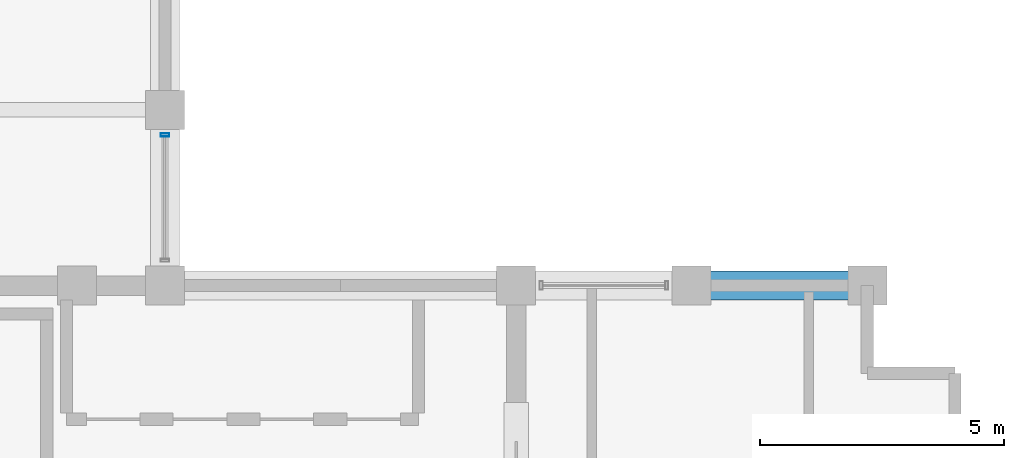
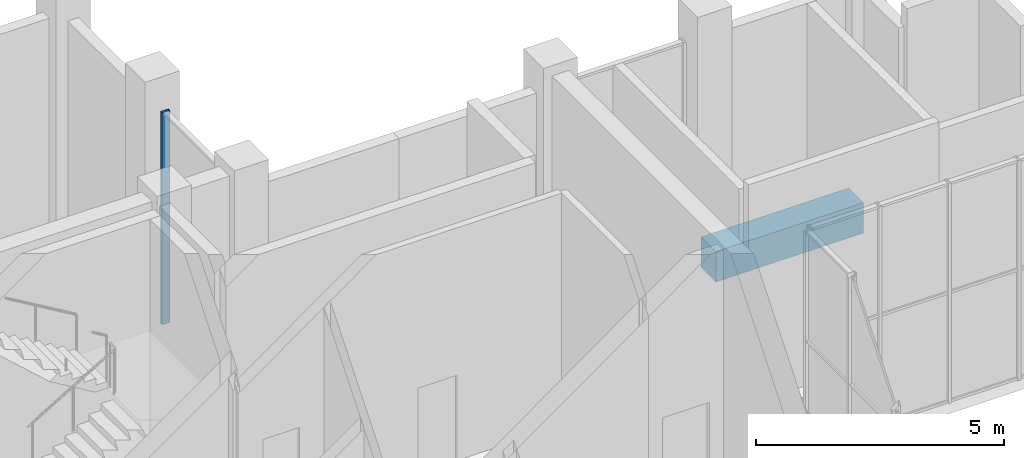
# One storey, part 9 of 17: 1 beam, 1 member, 1 element without a shape of its own.
"""IFC4 building model written with IfcOpenShell, lengths in metres."""

from ifc_helpers import new_model, si_unit, direction, frame, origin, origin_2d, place, context, subcontext, project, spatial, rectangle, hollow_rectangle, extrude, material, layer, layer_set, material_profile, profile_set, type_object, element, aggregate, save


model = new_model("IFC4")

# Units and contexts
model_context = context("Model", 3, precision=1e-05, world=origin(), true_north=direction((0.0, 1.0)))
body_context = subcontext(model_context, "Body", "Model", "MODEL_VIEW")
ifc_project = project(units=[si_unit("LENGTHUNIT", "METRE"), si_unit("AREAUNIT", "SQUARE_METRE"), si_unit("VOLUMEUNIT", "CUBIC_METRE"), si_unit("PLANEANGLEUNIT", "RADIAN"), si_unit("MASSUNIT", "GRAM", prefix="KILO")], contexts=[model_context])

# Site, building, storey
site_placement = place(None, origin())
site = spatial("IfcSite", under=ifc_project, at=site_placement, CompositionType="ELEMENT")
building_placement = place(site_placement, origin())
building = spatial("IfcBuilding", under=site, at=building_placement, Name="Solnavia Interchange Tower", CompositionType="ELEMENT")
storey_placement = place(building_placement, frame((0.0, 0.0, 249.800048828125)))
storey = spatial("IfcBuildingStorey", under=building, at=storey_placement, Name="L63", CompositionType="ELEMENT", Elevation=249.800048828125)

# Beam
ifc_material_1 = material(Name="Concrete C50/60", Category="concrete")
ifc_material_profile_1 = material_profile(ifc_material_1, rectangle(XDim=0.60009765625, YDim=0.75, at=origin_2d()), Name="RC 600x750")
ifc_profile_set_1 = profile_set([ifc_material_profile_1], Name="Concrete C50/60")
beam_type = type_object("IfcBeamType", Name="Beam-Spandrel-RC600x750", PredefinedType="SPANDREL", material=ifc_profile_set_1)
beam_placement = place(storey_placement, frame((39.52001953125, 25.199951171875, -0.375), z_axis=(-1.0, 0.0, 0.0), x_axis=(0.0, -1.0, 0.0)))
element("IfcBeam", 1, at=beam_placement, inside=storey, type_object=beam_type, Name="SPB-L63-15 Framed-tube perimeter spandrel beam", PredefinedType="SPANDREL", context=body_context, shape_type="SweptSolid", body=[
    extrude(rectangle(XDim=0.60009765625, YDim=0.75, at=origin_2d()), origin(), (0.0, 0.0, 1.0), 3.43994140625),
])

# Curtain wall, member
ifc_material_2 = material(Name="Aluminium Alloy 6063-T6", Category="aluminium")
ifc_layer = layer(ifc_material_2, 0.199951171875)
ifc_layer_set = layer_set([ifc_layer], Name="Aluminium Alloy 6063-T6")
curtain_wall_type = type_object("IfcCurtainWallType", Name="CurtainWall-Louvre-CTW5", PredefinedType="NOTDEFINED", material=ifc_layer_set)
curtain_wall_placement = place(storey_placement, origin())
curtain_wall = element("IfcCurtainWall", 2, at=curtain_wall_placement, inside=storey, type_object=curtain_wall_type, Name="CTW-L63-L21 CTW-5 curtain wall", PredefinedType="NOTDEFINED")
ifc_material_profile_2 = material_profile(ifc_material_2, hollow_rectangle(XDim=0.06494140625, YDim=0.179931640625, WallThickness=0.00439453125, at=origin_2d()), Name="ALU 180x65x4.5")
ifc_profile_set_2 = profile_set([ifc_material_profile_2], Name="Aluminium Alloy 6063-T6")
member_type = type_object("IfcMemberType", Name="CW-Mullion-CWM-5", PredefinedType="MULLION", material=ifc_profile_set_2)
member_placement = place(storey_placement, frame((25.199951171875, 28.284912109375, 0.0), z_axis=(0.0, 0.0, 1.0), x_axis=(0.0, 1.0, 0.0)))
member = element("IfcMember", 3, at=member_placement, type_object=member_type, Name="CTW-5 mullion 2", PredefinedType="MULLION", context=body_context, shape_type="SweptSolid", body=[
    extrude(hollow_rectangle(XDim=0.06494140625, YDim=0.179931640625, WallThickness=0.00439453125, at=origin_2d()), origin(), (0.0, 0.0, 1.0), 5.22998046875),
])
aggregate(curtain_wall, [member])

save(model, "model.ifc")
